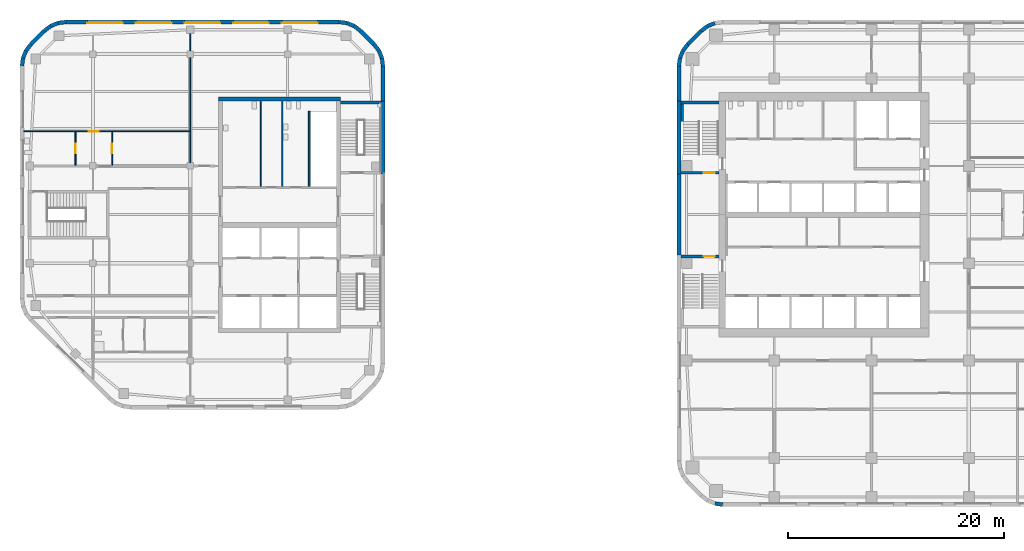
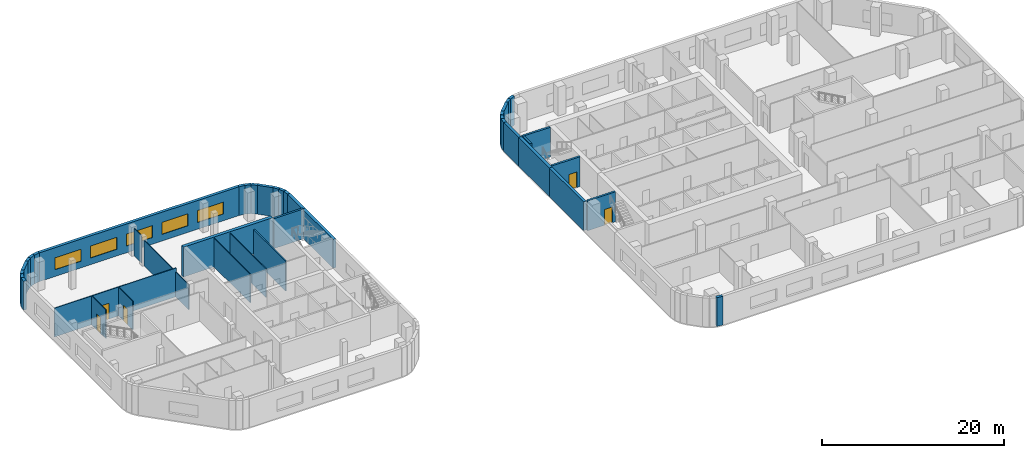
# One storey, part 7 of 14: 42 walls, 5 doors, 5 windows, 10 openings.
"""IFC4 building model written with IfcOpenShell, lengths in metres."""

from ifc_helpers import new_model, si_unit, direction, frame, frame_2d, origin, place, context, subcontext, project, spatial, rectangle, extrude, material, layer, layer_set, type_object, element, fill, save


model = new_model("IFC4")

# Units and contexts
model_context = context("Model", 3, precision=1e-05, world=origin(), true_north=direction((0.0, 1.0)))
body_context = subcontext(model_context, "Body", "Model", "MODEL_VIEW")
ifc_project = project(units=[si_unit("LENGTHUNIT", "METRE"), si_unit("AREAUNIT", "SQUARE_METRE"), si_unit("VOLUMEUNIT", "CUBIC_METRE"), si_unit("PLANEANGLEUNIT", "RADIAN"), si_unit("MASSUNIT", "GRAM", prefix="KILO")], contexts=[model_context])

# Site, building, storey
site_placement = place(None, origin())
site = spatial("IfcSite", under=ifc_project, at=site_placement, CompositionType="ELEMENT")
building_placement = place(site_placement, origin())
building = spatial("IfcBuilding", under=site, at=building_placement, Name="Cinnabar Reach Civic Tower", CompositionType="ELEMENT")
storey_placement = place(building_placement, frame((0.0, 0.0, 104.0)))
storey = spatial("IfcBuildingStorey", under=building, at=storey_placement, Name="L24", CompositionType="ELEMENT", Elevation=104.0)

# Walls
ifc_material_1 = material(Name="Facing brick with insulated backing", Category="masonry")
ifc_layer_1 = layer(ifc_material_1, 0.36)
ifc_layer_set_1 = layer_set([ifc_layer_1], Name="Brick corner wall")
wall_type_1 = type_object("IfcWallType", Name="Brick corner wall", PredefinedType="STANDARD", material=ifc_layer_set_1)
wall_1_placement = place(storey_placement, frame((3.5027, 49.2181, 0.0), z_axis=(0.0, 0.0, 1.0), x_axis=(-0.923871547278, -0.382702709855, 0.0)))
element("IfcWall", 1, at=wall_1_placement, inside=storey, type_object=wall_type_1, Name="Brick corner wall", PredefinedType="STANDARD", context=body_context, shape_type="SweptSolid", body=[
    extrude(rectangle(XDim=0.7131, YDim=0.36, at=frame_2d((0.3565, 0.0))), origin(), (0.0, 0.0, 1.0), 3.85),
])
for number, where, z_axis, x_axis, name in (
    (2, (2.8245, 48.934, 0.0), (0.0, 0.0, 1.0), (-0.793321924995, -0.608802368033, 0.0), "Brick corner wall"),
    (3, (1.0002, 47.2413, 0.0), (0.0, 0.0, 1.0), (-0.608802368033, -0.793321924995, 0.0), "Brick corner wall"),
):
    element("IfcWall", number, at=place(storey_placement, frame(where, z_axis=z_axis, x_axis=x_axis)), inside=storey, type_object=wall_type_1, Name=name, PredefinedType="STANDARD", context=body_context, shape_type="SweptSolid", body=[
        extrude(rectangle(XDim=0.7132, YDim=0.36, at=frame_2d((0.3566, 0.0))), origin(), (0.0, 0.0, 1.0), 3.85),
    ])
for number, where, z_axis, x_axis, name in (
    (4, (0.5548, 46.6561, 0.0), (0.0, 0.0, 1.0), (-0.382702709855, -0.923871547278, 0.0), "Brick corner wall"),
    (5, (0.2761, 45.9756, 0.0), (0.0, 0.0, 1.0), (-0.13055608231, -0.99144092581, 0.0), "Brick corner wall"),
    (6, (3.5244, 4.7761, 0.0), (0.0, 0.0, 1.0), (0.99144092581, -0.13055608231, 0.0), "Brick corner wall"),
    (7, (-27.183, 45.2686, 0.0), (0.0, 0.0, 1.0), (-0.13055608231, 0.99144092581, 0.0), "Brick corner wall"),
    (8, (-27.2819, 45.9973, 0.0), (0.0, 0.0, 1.0), (-0.382702709855, 0.923871547278, 0.0), "Brick corner wall"),
):
    element("IfcWall", number, at=place(storey_placement, frame(where, z_axis=z_axis, x_axis=x_axis)), inside=storey, type_object=wall_type_1, Name=name, PredefinedType="STANDARD", context=body_context, shape_type="SweptSolid", body=[
        extrude(rectangle(XDim=0.7131, YDim=0.36, at=frame_2d((0.3565, 0.0))), origin(), (0.0, 0.0, 1.0), 3.85),
    ])
for number, where, z_axis, x_axis, name in (
    (9, (-27.566, 46.6755, 0.0), (0.0, 0.0, 1.0), (-0.608802368033, 0.793321924995, 0.0), "Brick corner wall"),
    (10, (-29.2587, 48.4998, 0.0), (0.0, 0.0, 1.0), (-0.793321924995, 0.608802368033, 0.0), "Brick corner wall"),
):
    element("IfcWall", number, at=place(storey_placement, frame(where, z_axis=z_axis, x_axis=x_axis)), inside=storey, type_object=wall_type_1, Name=name, PredefinedType="STANDARD", context=body_context, shape_type="SweptSolid", body=[
        extrude(rectangle(XDim=0.7132, YDim=0.36, at=frame_2d((0.3566, 0.0))), origin(), (0.0, 0.0, 1.0), 3.85),
    ])
for number, where, z_axis, x_axis, name in (
    (11, (-29.8439, 48.9452, 0.0), (0.0, 0.0, 1.0), (-0.923871547278, 0.382702709855, 0.0), "Brick corner wall"),
    (12, (-30.5244, 49.2239, 0.0), (0.0, 0.0, 1.0), (-0.99144092581, 0.13055608231, 0.0), "Brick corner wall"),
    (13, (-56.5186, 49.317, 0.0), (0.0, 0.0, 1.0), (-0.99144092581, -0.13055608231, 0.0), "Brick corner wall"),
    (14, (-57.2473, 49.2181, 0.0), (0.0, 0.0, 1.0), (-0.923871547278, -0.382702709855, 0.0), "Brick corner wall"),
):
    element("IfcWall", number, at=place(storey_placement, frame(where, z_axis=z_axis, x_axis=x_axis)), inside=storey, type_object=wall_type_1, Name=name, PredefinedType="STANDARD", context=body_context, shape_type="SweptSolid", body=[
        extrude(rectangle(XDim=0.7131, YDim=0.36, at=frame_2d((0.3565, 0.0))), origin(), (0.0, 0.0, 1.0), 3.85),
    ])
for number, where, z_axis, x_axis, name in (
    (15, (-57.9255, 48.934, 0.0), (0.0, 0.0, 1.0), (-0.793321924995, -0.608802368033, 0.0), "Brick corner wall"),
    (16, (-59.7498, 47.2413, 0.0), (0.0, 0.0, 1.0), (-0.608802368033, -0.793321924995, 0.0), "Brick corner wall"),
):
    element("IfcWall", number, at=place(storey_placement, frame(where, z_axis=z_axis, x_axis=x_axis)), inside=storey, type_object=wall_type_1, Name=name, PredefinedType="STANDARD", context=body_context, shape_type="SweptSolid", body=[
        extrude(rectangle(XDim=0.7132, YDim=0.36, at=frame_2d((0.3566, 0.0))), origin(), (0.0, 0.0, 1.0), 3.85),
    ])
for number, where, z_axis, x_axis, name in (
    (17, (-60.1952, 46.6561, 0.0), (0.0, 0.0, 1.0), (-0.382702709855, -0.923871547278, 0.0), "Brick corner wall"),
    (18, (-60.4739, 45.9756, 0.0), (0.0, 0.0, 1.0), (-0.13055608231, -0.99144092581, 0.0), "Brick corner wall"),
):
    element("IfcWall", number, at=place(storey_placement, frame(where, z_axis=z_axis, x_axis=x_axis)), inside=storey, type_object=wall_type_1, Name=name, PredefinedType="STANDARD", context=body_context, shape_type="SweptSolid", body=[
        extrude(rectangle(XDim=0.7131, YDim=0.36, at=frame_2d((0.3565, 0.0))), origin(), (0.0, 0.0, 1.0), 3.85),
    ])
ifc_layer_2 = layer(ifc_material_1, 0.36)
ifc_layer_set_2 = layer_set([ifc_layer_2], Name="Brick pier and spandrel wall")
wall_type_2 = type_object("IfcWallType", Name="Brick pier and spandrel wall", PredefinedType="STANDARD", material=ifc_layer_set_2)
wall_2_placement = place(storey_placement, frame((2.2486, 48.494, 0.0), z_axis=(0.0, 0.0, 1.0), x_axis=(-0.707106781187, -0.707106781187, 0.0)))
element("IfcWall", 19, at=wall_2_placement, inside=storey, type_object=wall_type_2, Name="Brick facade wall", PredefinedType="STANDARD", context=body_context, shape_type="SweptSolid", body=[
    extrude(rectangle(XDim=1.7573, YDim=0.36, at=frame_2d((0.8787, 0.0))), origin(), (0.0, 0.0, 1.0), 3.85),
])
wall_3_placement = place(storey_placement, frame((0.18, 45.2574, 0.0), z_axis=(0.0, 0.0, 1.0), x_axis=(0.0, -1.0, 0.0)))
element("IfcWall", 20, at=wall_3_placement, inside=storey, type_object=wall_type_2, Name="Brick facade wall", PredefinedType="STANDARD", context=body_context, shape_type="SweptSolid", body=[
    extrude(rectangle(XDim=3.2574, YDim=0.36, at=frame_2d((1.6287, 0.0))), origin(), (0.0, 0.0, 1.0), 3.85),
])
wall_4_placement = place(storey_placement, frame((0.18, 42.0, 0.0), z_axis=(0.0, 0.0, 1.0), x_axis=(0.0, -1.0, 0.0)))
element("IfcWall", 21, at=wall_4_placement, inside=storey, type_object=wall_type_2, Name="Brick facade wall", PredefinedType="STANDARD", context=body_context, shape_type="SweptSolid", body=[
    extrude(rectangle(XDim=6.75, YDim=0.36, at=frame_2d((3.375, 0.0))), origin(), (0.0, 0.0, 1.0), 3.85),
])
wall_5_placement = place(storey_placement, frame((0.18, 35.25, 0.0), z_axis=(0.0, 0.0, 1.0), x_axis=(0.0, -1.0, 0.0)))
element("IfcWall", 22, at=wall_5_placement, inside=storey, type_object=wall_type_2, Name="Brick facade wall", PredefinedType="STANDARD", context=body_context, shape_type="SweptSolid", body=[
    extrude(rectangle(XDim=7.5, YDim=0.36, at=frame_2d((3.75, 0.0))), origin(), (0.0, 0.0, 1.0), 3.85),
])
wall_6_placement = place(storey_placement, frame((-27.18, 35.25, 0.0), z_axis=(0.0, 0.0, 1.0), x_axis=(0.0, 1.0, 0.0)))
element("IfcWall", 23, at=wall_6_placement, inside=storey, type_object=wall_type_2, Name="Brick facade wall", PredefinedType="STANDARD", context=body_context, shape_type="SweptSolid", body=[
    extrude(rectangle(XDim=6.75, YDim=0.36, at=frame_2d((3.375, 0.0))), origin(), (0.0, 0.0, 1.0), 3.85),
])
wall_7_placement = place(storey_placement, frame((-27.18, 42.0, 0.0), z_axis=(0.0, 0.0, 1.0), x_axis=(0.0, 1.0, 0.0)))
element("IfcWall", 24, at=wall_7_placement, inside=storey, type_object=wall_type_2, Name="Brick facade wall", PredefinedType="STANDARD", context=body_context, shape_type="SweptSolid", body=[
    extrude(rectangle(XDim=3.2574, YDim=0.36, at=frame_2d((1.6287, 0.0))), origin(), (0.0, 0.0, 1.0), 3.85),
])
wall_8_placement = place(storey_placement, frame((-28.006, 47.2514, 0.0), z_axis=(0.0, 0.0, 1.0), x_axis=(-0.707106781187, 0.707106781187, 0.0)))
element("IfcWall", 25, at=wall_8_placement, inside=storey, type_object=wall_type_2, Name="Brick facade wall", PredefinedType="STANDARD", context=body_context, shape_type="SweptSolid", body=[
    extrude(rectangle(XDim=1.7573, YDim=0.36, at=frame_2d((0.8787, 0.0))), origin(), (0.0, 0.0, 1.0), 3.85),
])

# Wall, openings, windows
wall_9_placement = place(storey_placement, frame((-31.2426, 49.32, 0.0), z_axis=(0.0, 0.0, 1.0), x_axis=(-1.0, 0.0, 0.0)))
wall_9 = element("IfcWall", 26, at=wall_9_placement, inside=storey, type_object=wall_type_2, Name="Brick facade wall", PredefinedType="STANDARD", context=body_context, shape_type="SweptSolid", body=[
    extrude(rectangle(XDim=25.2648, YDim=0.36, at=frame_2d((12.6324, 0.0))), origin(), (0.0, 0.0, 1.0), 3.85),
])
opening_1_placement = place(wall_9_placement, frame((1.9824, 0.0, 0.9)))
opening_1 = element("IfcOpeningElement", 27, at=opening_1_placement, cuts=wall_9, Name="Opening W2685", PredefinedType="OPENING", context=body_context, shape_type="SweptSolid", body=[
    extrude(rectangle(XDim=3.3, YDim=1.6, at=frame_2d((1.65, 0.8))), frame((0.0, 0.19, 0.0), z_axis=(0.0, -1.0, 0.0), x_axis=(1.0, 0.0, 0.0)), (0.0, 0.0, 1.0), 0.38),
])
opening_2_placement = place(wall_9_placement, frame((6.4824, 0.0, 0.9)))
opening_2 = element("IfcOpeningElement", 28, at=opening_2_placement, cuts=wall_9, Name="Opening W2686", PredefinedType="OPENING", context=body_context, shape_type="SweptSolid", body=[
    extrude(rectangle(XDim=3.3, YDim=1.6, at=frame_2d((1.65, 0.8))), frame((0.0, 0.19, 0.0), z_axis=(0.0, -1.0, 0.0), x_axis=(1.0, 0.0, 0.0)), (0.0, 0.0, 1.0), 0.38),
])
opening_3_placement = place(wall_9_placement, frame((10.9824, 0.0, 0.9)))
opening_3 = element("IfcOpeningElement", 29, at=opening_3_placement, cuts=wall_9, Name="Opening W2687", PredefinedType="OPENING", context=body_context, shape_type="SweptSolid", body=[
    extrude(rectangle(XDim=3.3, YDim=1.6, at=frame_2d((1.65, 0.8))), frame((0.0, 0.19, 0.0), z_axis=(0.0, -1.0, 0.0), x_axis=(1.0, 0.0, 0.0)), (0.0, 0.0, 1.0), 0.38),
])
opening_4_placement = place(wall_9_placement, frame((15.4824, 0.0, 0.9)))
opening_4 = element("IfcOpeningElement", 30, at=opening_4_placement, cuts=wall_9, Name="Opening W2688", PredefinedType="OPENING", context=body_context, shape_type="SweptSolid", body=[
    extrude(rectangle(XDim=3.3, YDim=1.6, at=frame_2d((1.65, 0.8))), frame((0.0, 0.19, 0.0), z_axis=(0.0, -1.0, 0.0), x_axis=(1.0, 0.0, 0.0)), (0.0, 0.0, 1.0), 0.38),
])
opening_5_placement = place(wall_9_placement, frame((19.9824, 0.0, 0.9)))
opening_5 = element("IfcOpeningElement", 31, at=opening_5_placement, cuts=wall_9, Name="Opening W2689", PredefinedType="OPENING", context=body_context, shape_type="SweptSolid", body=[
    extrude(rectangle(XDim=3.3, YDim=1.6, at=frame_2d((1.65, 0.8))), frame((0.0, 0.19, 0.0), z_axis=(0.0, -1.0, 0.0), x_axis=(1.0, 0.0, 0.0)), (0.0, 0.0, 1.0), 0.38),
])
ifc_material_2 = material(Name="Clear double glazing in aluminium frame", Category="aluminium")
window_type = type_object("IfcWindowType", Name="Deep-set window A", PartitioningType="SINGLE_PANEL", PredefinedType="WINDOW", material=ifc_material_2)
window_1_placement = place(opening_1_placement, origin())
window_1 = element("IfcWindow", 32, at=window_1_placement, inside=storey, type_object=window_type, Name="Window north face", OverallHeight=1.6, OverallWidth=3.3, PartitioningType="SINGLE_PANEL", PredefinedType="WINDOW", context=body_context, shape_type="SweptSolid", body=[
    extrude(rectangle(XDim=3.3, YDim=1.6, at=frame_2d((1.65, 0.8))), frame((0.0, 0.13, 0.0), z_axis=(0.0, -1.0, 0.0), x_axis=(1.0, 0.0, 0.0)), (0.0, 0.0, 1.0), 0.06),
])
fill(opening_1, window_1)
window_2_placement = place(opening_2_placement, origin())
window_2 = element("IfcWindow", 33, at=window_2_placement, inside=storey, type_object=window_type, Name="Window north face", OverallHeight=1.6, OverallWidth=3.3, PartitioningType="SINGLE_PANEL", PredefinedType="WINDOW", context=body_context, shape_type="SweptSolid", body=[
    extrude(rectangle(XDim=3.3, YDim=1.6, at=frame_2d((1.65, 0.8))), frame((0.0, 0.13, 0.0), z_axis=(0.0, -1.0, 0.0), x_axis=(1.0, 0.0, 0.0)), (0.0, 0.0, 1.0), 0.06),
])
fill(opening_2, window_2)
window_3_placement = place(opening_3_placement, origin())
window_3 = element("IfcWindow", 34, at=window_3_placement, inside=storey, type_object=window_type, Name="Window north face", OverallHeight=1.6, OverallWidth=3.3, PartitioningType="SINGLE_PANEL", PredefinedType="WINDOW", context=body_context, shape_type="SweptSolid", body=[
    extrude(rectangle(XDim=3.3, YDim=1.6, at=frame_2d((1.65, 0.8))), frame((0.0, 0.13, 0.0), z_axis=(0.0, -1.0, 0.0), x_axis=(1.0, 0.0, 0.0)), (0.0, 0.0, 1.0), 0.06),
])
fill(opening_3, window_3)
window_4_placement = place(opening_4_placement, origin())
window_4 = element("IfcWindow", 35, at=window_4_placement, inside=storey, type_object=window_type, Name="Window north face", OverallHeight=1.6, OverallWidth=3.3, PartitioningType="SINGLE_PANEL", PredefinedType="WINDOW", context=body_context, shape_type="SweptSolid", body=[
    extrude(rectangle(XDim=3.3, YDim=1.6, at=frame_2d((1.65, 0.8))), frame((0.0, 0.13, 0.0), z_axis=(0.0, -1.0, 0.0), x_axis=(1.0, 0.0, 0.0)), (0.0, 0.0, 1.0), 0.06),
])
fill(opening_4, window_4)
window_5_placement = place(opening_5_placement, origin())
window_5 = element("IfcWindow", 36, at=window_5_placement, inside=storey, type_object=window_type, Name="Window north face", OverallHeight=1.6, OverallWidth=3.3, PartitioningType="SINGLE_PANEL", PredefinedType="WINDOW", context=body_context, shape_type="SweptSolid", body=[
    extrude(rectangle(XDim=3.3, YDim=1.6, at=frame_2d((1.65, 0.8))), frame((0.0, 0.13, 0.0), z_axis=(0.0, -1.0, 0.0), x_axis=(1.0, 0.0, 0.0)), (0.0, 0.0, 1.0), 0.06),
])
fill(opening_5, window_5)

# Walls
wall_10_placement = place(storey_placement, frame((-58.5014, 48.494, 0.0), z_axis=(0.0, 0.0, 1.0), x_axis=(-0.707106781187, -0.707106781187, 0.0)))
element("IfcWall", 37, at=wall_10_placement, inside=storey, type_object=wall_type_2, Name="Brick facade wall", PredefinedType="STANDARD", context=body_context, shape_type="SweptSolid", body=[
    extrude(rectangle(XDim=1.7573, YDim=0.36, at=frame_2d((0.8787, 0.0))), origin(), (0.0, 0.0, 1.0), 3.85),
])
ifc_material_3 = material(Name="Concrete C60", Category="concrete")
ifc_layer_3 = layer(ifc_material_3, 0.4)
ifc_layer_set_3 = layer_set([ifc_layer_3], Name="Core wall 400 EI 180")
wall_type_3 = type_object("IfcWallType", Name="Core wall 400 EI 180", PredefinedType="SOLIDWALL", material=ifc_layer_set_3)
wall_11_placement = place(storey_placement, frame((-31.1, 42.2, 0.0), z_axis=(0.0, 0.0, 1.0), x_axis=(-1.0, 0.0, 0.0)))
element("IfcWall", 38, at=wall_11_placement, inside=storey, type_object=wall_type_3, Name="Core wall T2 L24 N", PredefinedType="SOLIDWALL", context=body_context, shape_type="SweptSolid", body=[
    extrude(rectangle(XDim=11.3, YDim=0.4, at=frame_2d((5.65, 0.0))), origin(), (0.0, 0.0, 1.0), 4.0),
])

# Wall, opening, door
ifc_material_4 = material(Name="Gypsum board on steel studs", Category="steel")
ifc_layer_4 = layer(ifc_material_4, 0.1)
ifc_layer_set_4 = layer_set([ifc_layer_4], Name="Partition wall 100 T2")
wall_type_4 = type_object("IfcWallType", Name="Partition wall 100 T2", PredefinedType="PARTITIONING", material=ifc_layer_set_4)
wall_12_placement = place(storey_placement, frame((-60.39, 39.2, 0.0), z_axis=(0.0, 0.0, 1.0), x_axis=(1.0, 0.0, 0.0)))
wall_12 = element("IfcWall", 39, at=wall_12_placement, inside=storey, type_object=wall_type_4, Name="Partition wall 9", PredefinedType="PARTITIONING", context=body_context, shape_type="SweptSolid", body=[
    extrude(rectangle(XDim=15.44, YDim=0.1, at=frame_2d((7.72, 0.0))), origin(), (0.0, 0.0, 1.0), 3.85),
])
opening_6_placement = place(wall_12_placement, frame((6.0209, 0.0, 0.0)))
opening_6 = element("IfcOpeningElement", 40, at=opening_6_placement, cuts=wall_12, Name="Opening D6903", PredefinedType="OPENING", context=body_context, shape_type="SweptSolid", body=[
    extrude(rectangle(XDim=0.9, YDim=2.1, at=frame_2d((0.45, 1.05))), frame((0.0, 0.06, 0.0), z_axis=(0.0, -1.0, 0.0), x_axis=(1.0, 0.0, 0.0)), (0.0, 0.0, 1.0), 0.12),
])
ifc_material_5 = material(Name="Timber door leaf in steel frame", Category="steel")
door_type_1 = type_object("IfcDoorType", Name="Single swing door 900 x 2100 T2", OperationType="SINGLE_SWING_LEFT", PredefinedType="DOOR", material=ifc_material_5)
door_1_placement = place(opening_6_placement, frame((0.9, 0.0, 0.0), z_axis=(0.0, 0.0, 1.0), x_axis=(-1.0, 0.0, 0.0)))
door_1 = element("IfcDoor", 41, at=door_1_placement, inside=storey, type_object=door_type_1, Name="Door D6903", OperationType="SINGLE_SWING_RIGHT", OverallHeight=2.1, OverallWidth=0.9, PredefinedType="DOOR", context=body_context, shape_type="SweptSolid", body=[
    extrude(rectangle(XDim=0.9, YDim=2.1, at=frame_2d((0.45, 1.05))), frame((0.0, 0.025, 0.0), z_axis=(0.0, -1.0, 0.0), x_axis=(1.0, 0.0, 0.0)), (0.0, 0.0, 1.0), 0.05),
])
fill(opening_6, door_1)

# Walls
wall_13_placement = place(storey_placement, frame((-45.0, 39.25, 0.0), z_axis=(0.0, 0.0, 1.0), x_axis=(0.0, 1.0, 0.0)))
element("IfcWall", 42, at=wall_13_placement, inside=storey, type_object=wall_type_4, Name="Partition wall 10", PredefinedType="PARTITIONING", context=body_context, shape_type="SweptSolid", body=[
    extrude(rectangle(XDim=6.8, YDim=0.1, at=frame_2d((3.4, 0.0))), origin(), (0.0, 0.0, 1.0), 3.362),
])
wall_14_placement = place(storey_placement, frame((-45.0, 36.3, 0.0), z_axis=(0.0, 0.0, 1.0), x_axis=(0.0, 1.0, 0.0)))
element("IfcWall", 43, at=wall_14_placement, inside=storey, type_object=wall_type_4, Name="Partition wall 11", PredefinedType="PARTITIONING", context=body_context, shape_type="SweptSolid", body=[
    extrude(rectangle(XDim=2.85, YDim=0.1, at=frame_2d((1.425, 0.0))), origin(), (0.0, 0.0, 1.0), 3.362),
])
wall_15_placement = place(storey_placement, frame((-45.0, 46.65, 0.0), z_axis=(0.0, 0.0, 1.0), x_axis=(0.0, 1.0, 0.0)))
element("IfcWall", 44, at=wall_15_placement, inside=storey, type_object=wall_type_4, Name="Partition wall 12", PredefinedType="PARTITIONING", context=body_context, shape_type="SweptSolid", body=[
    extrude(rectangle(XDim=1.6, YDim=0.1, at=frame_2d((0.8, 0.0))), origin(), (0.0, 0.0, 1.0), 3.652),
])

# Wall, opening, door
wall_16_placement = place(storey_placement, frame((-55.6191, 36.075, 0.0), z_axis=(0.0, 0.0, 1.0), x_axis=(0.0, 1.0, 0.0)))
wall_16 = element("IfcWall", 45, at=wall_16_placement, inside=storey, type_object=wall_type_4, Name="Partition wall 20", PredefinedType="PARTITIONING", context=body_context, shape_type="SweptSolid", body=[
    extrude(rectangle(XDim=3.075, YDim=0.1, at=frame_2d((1.5375, 0.0))), origin(), (0.0, 0.0, 1.0), 3.85),
])
opening_7_placement = place(wall_16_placement, frame((1.1, 0.0, 0.0)))
opening_7 = element("IfcOpeningElement", 46, at=opening_7_placement, cuts=wall_16, Name="Opening D6901", PredefinedType="OPENING", context=body_context, shape_type="SweptSolid", body=[
    extrude(rectangle(XDim=0.9, YDim=2.1, at=frame_2d((0.45, 1.05))), frame((0.0, 0.06, 0.0), z_axis=(0.0, -1.0, 0.0), x_axis=(1.0, 0.0, 0.0)), (0.0, 0.0, 1.0), 0.12),
])
door_2_placement = place(opening_7_placement, origin())
door_2 = element("IfcDoor", 47, at=door_2_placement, inside=storey, type_object=door_type_1, Name="Door D6901", OperationType="SINGLE_SWING_RIGHT", OverallHeight=2.1, OverallWidth=0.9, PredefinedType="DOOR", context=body_context, shape_type="SweptSolid", body=[
    extrude(rectangle(XDim=0.9, YDim=2.1, at=frame_2d((0.45, 1.05))), frame((0.0, 0.025, 0.0), z_axis=(0.0, -1.0, 0.0), x_axis=(1.0, 0.0, 0.0)), (0.0, 0.0, 1.0), 0.05),
])
fill(opening_7, door_2)

wall_17_placement = place(storey_placement, frame((-52.2333, 36.075, 0.0), z_axis=(0.0, 0.0, 1.0), x_axis=(0.0, 1.0, 0.0)))
wall_17 = element("IfcWall", 48, at=wall_17_placement, inside=storey, type_object=wall_type_4, Name="Partition wall 21", PredefinedType="PARTITIONING", context=body_context, shape_type="SweptSolid", body=[
    extrude(rectangle(XDim=3.075, YDim=0.1, at=frame_2d((1.5375, 0.0))), origin(), (0.0, 0.0, 1.0), 3.85),
])
opening_8_placement = place(wall_17_placement, frame((1.1, 0.0, 0.0)))
opening_8 = element("IfcOpeningElement", 49, at=opening_8_placement, cuts=wall_17, Name="Opening D6902", PredefinedType="OPENING", context=body_context, shape_type="SweptSolid", body=[
    extrude(rectangle(XDim=0.9, YDim=2.1, at=frame_2d((0.45, 1.05))), frame((0.0, 0.06, 0.0), z_axis=(0.0, -1.0, 0.0), x_axis=(1.0, 0.0, 0.0)), (0.0, 0.0, 1.0), 0.12),
])
door_3_placement = place(opening_8_placement, origin())
door_3 = element("IfcDoor", 50, at=door_3_placement, inside=storey, type_object=door_type_1, Name="Door D6902", OperationType="SINGLE_SWING_RIGHT", OverallHeight=2.1, OverallWidth=0.9, PredefinedType="DOOR", context=body_context, shape_type="SweptSolid", body=[
    extrude(rectangle(XDim=0.9, YDim=2.1, at=frame_2d((0.45, 1.05))), frame((0.0, 0.025, 0.0), z_axis=(0.0, -1.0, 0.0), x_axis=(1.0, 0.0, 0.0)), (0.0, 0.0, 1.0), 0.05),
])
fill(opening_8, door_3)

ifc_layer_5 = layer(ifc_material_3, 0.25)
ifc_layer_set_5 = layer_set([ifc_layer_5], Name="Stair shaft wall 250 EI 120")
wall_type_5 = type_object("IfcWallType", Name="Stair shaft wall 250 EI 120", PredefinedType="SOLIDWALL", material=ifc_layer_set_5)
wall_18_placement = place(storey_placement, frame((3.9, 27.625, 0.0), z_axis=(0.0, 0.0, 1.0), x_axis=(-1.0, 0.0, 0.0)))
wall_18 = element("IfcWall", 51, at=wall_18_placement, inside=storey, type_object=wall_type_5, Name="Stair shaft wall T1-S1 L24", PredefinedType="SOLIDWALL", context=body_context, shape_type="SweptSolid", body=[
    extrude(rectangle(XDim=3.54, YDim=0.25, at=frame_2d((1.77, 0.0))), origin(), (0.0, 0.0, 1.0), 4.0),
])
opening_9_placement = place(wall_18_placement, frame((0.4, 0.0, 0.0)))
opening_9 = element("IfcOpeningElement", 52, at=opening_9_placement, cuts=wall_18, Name="Opening D3962", PredefinedType="OPENING", context=body_context, shape_type="SweptSolid", body=[
    extrude(rectangle(XDim=1.0, YDim=2.1, at=frame_2d((0.5, 1.05))), frame((0.0, 0.135, 0.0), z_axis=(0.0, -1.0, 0.0), x_axis=(1.0, 0.0, 0.0)), (0.0, 0.0, 1.0), 0.27),
])
door_type_2 = type_object("IfcDoorType", Name="Stair door 1000 x 2100 T1", OperationType="SINGLE_SWING_LEFT", PredefinedType="DOOR", material=ifc_material_5)
door_4_placement = place(opening_9_placement, origin())
door_4 = element("IfcDoor", 53, at=door_4_placement, inside=storey, type_object=door_type_2, Name="Door D3962", OperationType="SINGLE_SWING_LEFT", OverallHeight=2.1, OverallWidth=1.0, PredefinedType="DOOR", context=body_context, shape_type="SweptSolid", body=[
    extrude(rectangle(XDim=1.0, YDim=2.1, at=frame_2d((0.5, 1.05))), frame((0.0, 0.025, 0.0), z_axis=(0.0, -1.0, 0.0), x_axis=(1.0, 0.0, 0.0)), (0.0, 0.0, 1.0), 0.05),
])
fill(opening_9, door_4)

wall_19_placement = place(storey_placement, frame((0.36, 35.375, 0.0), z_axis=(0.0, 0.0, 1.0), x_axis=(1.0, 0.0, 0.0)))
wall_19 = element("IfcWall", 54, at=wall_19_placement, inside=storey, type_object=wall_type_5, Name="Stair shaft wall T1-S2 L24", PredefinedType="SOLIDWALL", context=body_context, shape_type="SweptSolid", body=[
    extrude(rectangle(XDim=3.54, YDim=0.25, at=frame_2d((1.77, 0.0))), origin(), (0.0, 0.0, 1.0), 4.0),
])
opening_10_placement = place(wall_19_placement, frame((2.14, 0.0, 0.0)))
opening_10 = element("IfcOpeningElement", 55, at=opening_10_placement, cuts=wall_19, Name="Opening D3964", PredefinedType="OPENING", context=body_context, shape_type="SweptSolid", body=[
    extrude(rectangle(XDim=1.0, YDim=2.1, at=frame_2d((0.5, 1.05))), frame((0.0, 0.135, 0.0), z_axis=(0.0, -1.0, 0.0), x_axis=(1.0, 0.0, 0.0)), (0.0, 0.0, 1.0), 0.27),
])
door_5_placement = place(opening_10_placement, origin())
door_5 = element("IfcDoor", 56, at=door_5_placement, inside=storey, type_object=door_type_2, Name="Door D3964", OperationType="SINGLE_SWING_RIGHT", OverallHeight=2.1, OverallWidth=1.0, PredefinedType="DOOR", context=body_context, shape_type="SweptSolid", body=[
    extrude(rectangle(XDim=1.0, YDim=2.1, at=frame_2d((0.5, 1.05))), frame((0.0, 0.025, 0.0), z_axis=(0.0, -1.0, 0.0), x_axis=(1.0, 0.0, 0.0)), (0.0, 0.0, 1.0), 0.05),
])
fill(opening_10, door_5)

# Walls
wall_20_placement = place(storey_placement, frame((3.9, 41.875, 0.0), z_axis=(0.0, 0.0, 1.0), x_axis=(-1.0, 0.0, 0.0)))
element("IfcWall", 57, at=wall_20_placement, inside=storey, type_object=wall_type_5, Name="Stair shaft wall T1-S2 L24", PredefinedType="SOLIDWALL", context=body_context, shape_type="SweptSolid", body=[
    extrude(rectangle(XDim=3.54, YDim=0.25, at=frame_2d((1.77, 0.0))), origin(), (0.0, 0.0, 1.0), 4.0),
])
wall_21_placement = place(storey_placement, frame((-27.36, 41.875, 0.0), z_axis=(0.0, 0.0, 1.0), x_axis=(-1.0, 0.0, 0.0)))
element("IfcWall", 58, at=wall_21_placement, inside=storey, type_object=wall_type_5, Name="Stair shaft wall T2-S2 L24", PredefinedType="SOLIDWALL", context=body_context, shape_type="SweptSolid", body=[
    extrude(rectangle(XDim=3.74, YDim=0.25, at=frame_2d((1.87, 0.0))), origin(), (0.0, 0.0, 1.0), 4.0),
])
ifc_material_6 = material(Name="Concrete C40/50", Category="concrete")
ifc_layer_6 = layer(ifc_material_6, 0.24)
ifc_layer_set_6 = layer_set([ifc_layer_6], Name="T1 landing bearer wall 240")
wall_type_6 = type_object("IfcWallType", Name="T1 landing bearer wall 240", PredefinedType="STANDARD", material=ifc_layer_set_6)
wall_22_placement = place(storey_placement, frame((0.48, 40.13, 0.0), z_axis=(0.0, 0.0, 1.0), x_axis=(0.0, 1.0, 0.0)))
element("IfcWall", 59, at=wall_22_placement, inside=storey, type_object=wall_type_6, Name="T1-S2 landing bearer wall", PredefinedType="STANDARD", context=body_context, shape_type="SweptSolid", body=[
    extrude(rectangle(XDim=1.62, YDim=0.24, at=frame_2d((0.81, 0.0))), origin(), (0.0, 0.0, 1.0), 4.0),
])
ifc_material_7 = material(Name="Gypsum board partition")
ifc_layer_7 = layer(ifc_material_7, 0.1)
ifc_layer_set_7 = layer_set([ifc_layer_7], Name="T2 Internal partition 100")
wall_type_7 = type_object("IfcWallType", Name="T2 Internal partition 100", PredefinedType="PARTITIONING", material=ifc_layer_set_7)
for number, where, z_axis, x_axis, name in (
    (60, (-38.5, 34.075, 0.0), (0.0, 0.0, 1.0), (0.0, 1.0, 0.0), "T2 Internal partition L24 017"),
    (61, (-36.5, 34.075, 0.0), (0.0, 0.0, 1.0), (0.0, 1.0, 0.0), "T2 Internal partition L24 018"),
):
    element("IfcWall", number, at=place(storey_placement, frame(where, z_axis=z_axis, x_axis=x_axis)), inside=storey, type_object=wall_type_7, Name=name, PredefinedType="PARTITIONING", context=body_context, shape_type="SweptSolid", body=[
        extrude(rectangle(XDim=7.925, YDim=0.1, at=frame_2d((3.9625, 0.0))), origin(), (0.0, 0.0, 1.0), 3.85),
    ])
ifc_material_8 = material(Name="Concrete C40", Category="concrete")
ifc_layer_8 = layer(ifc_material_8, 0.15)
ifc_layer_set_8 = layer_set([ifc_layer_8], Name="T2 Riser wall 150")
wall_type_8 = type_object("IfcWallType", Name="T2 Riser wall 150", PredefinedType="SOLIDWALL", material=ifc_layer_set_8)
wall_23_placement = place(storey_placement, frame((-34.0, 41.075, 0.0), z_axis=(0.0, 0.0, 1.0), x_axis=(0.0, -1.0, 0.0)))
element("IfcWall", 62, at=wall_23_placement, inside=storey, type_object=wall_type_8, Name="T2 Riser wall L24 013", PredefinedType="SOLIDWALL", context=body_context, shape_type="SweptSolid", body=[
    extrude(rectangle(XDim=7.0, YDim=0.15, at=frame_2d((3.5, 0.0))), origin(), (0.0, 0.0, 1.0), 4.0),
])

save(model, "model.ifc")
